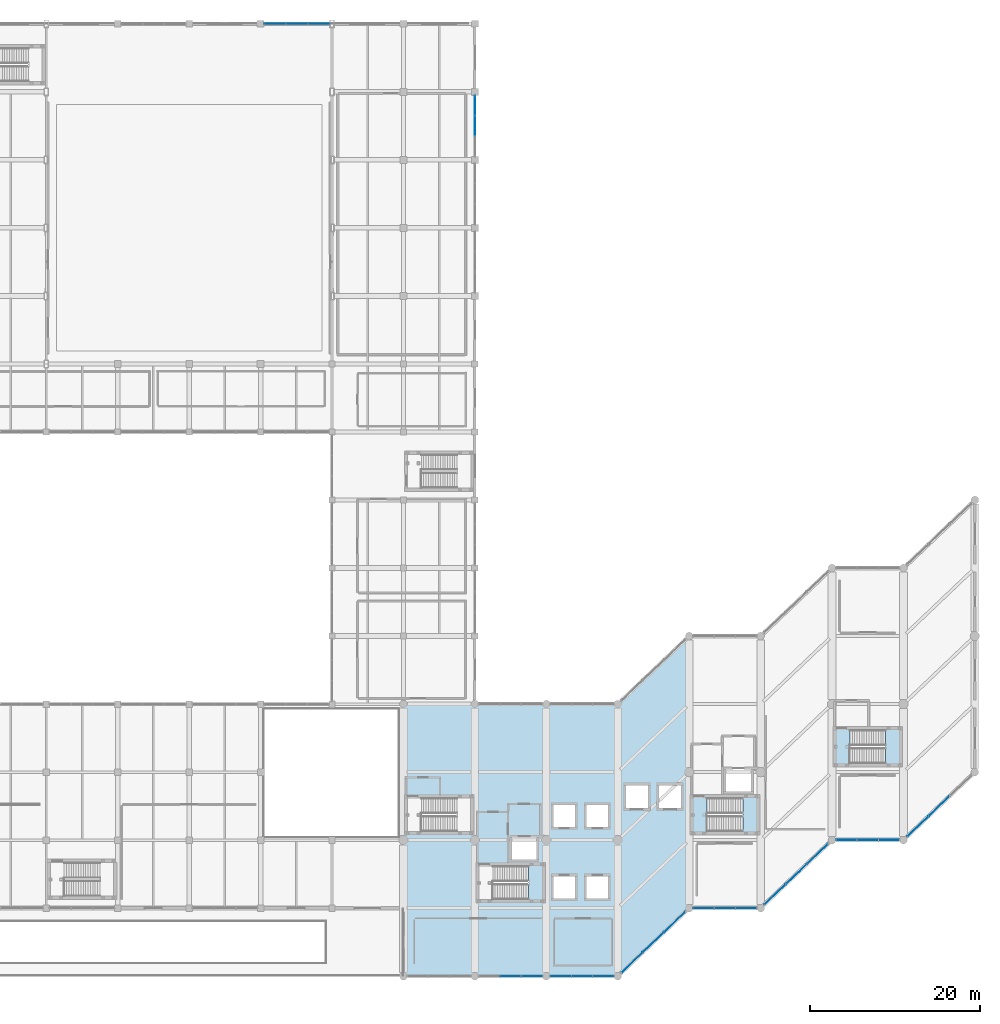
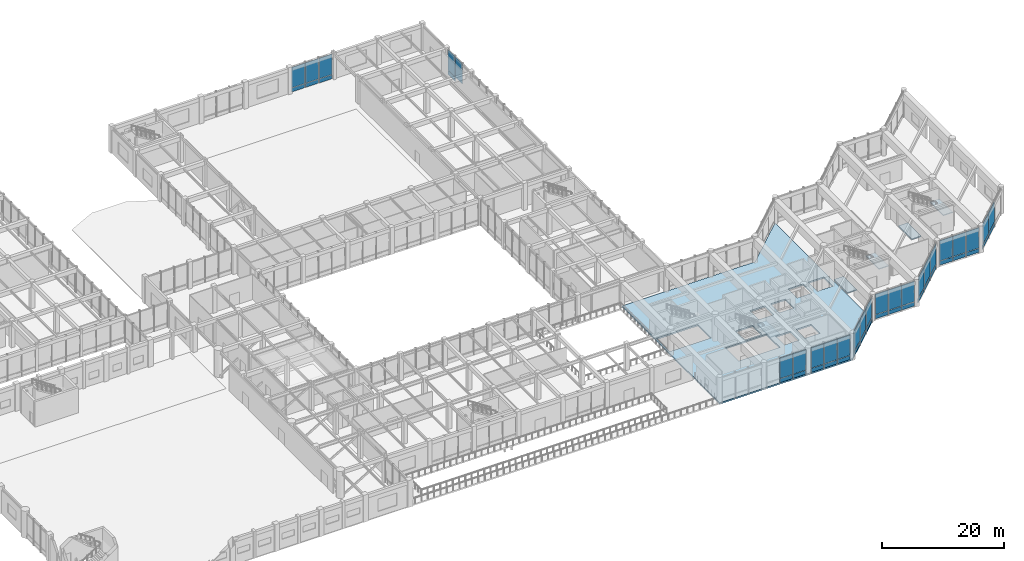
# One storey, part 54 of 79: 47 plates, 6 slabs, 12 elements without a shape of their own.
"""IFC4 building model written with IfcOpenShell, lengths in metres."""

from ifc_helpers import new_model, si_unit, direction, frame, origin, origin_2d, place, context, subcontext, project, spatial, polyline, rectangle, outline, extrude, material, layer, layer_set, type_object, element, aggregate, save


model = new_model("IFC4")

# Units and contexts
model_context = context("Model", 3, precision=1e-05, world=origin(), true_north=direction((0.0, 1.0)))
body_context = subcontext(model_context, "Body", "Model", "MODEL_VIEW")
ifc_project = project(units=[si_unit("LENGTHUNIT", "METRE"), si_unit("AREAUNIT", "SQUARE_METRE"), si_unit("VOLUMEUNIT", "CUBIC_METRE"), si_unit("PLANEANGLEUNIT", "RADIAN"), si_unit("MASSUNIT", "GRAM", prefix="KILO")], contexts=[model_context])

# Site, building, storey
site_placement = place(None, origin())
site = spatial("IfcSite", under=ifc_project, at=site_placement, CompositionType="ELEMENT")
building_placement = place(site_placement, origin())
building = spatial("IfcBuilding", under=site, at=building_placement, Name="Naruveol Harbour Congress Hotel", CompositionType="ELEMENT")
storey_placement = place(building_placement, frame((0.0, 0.0, 6.0)))
storey = spatial("IfcBuildingStorey", under=building, at=storey_placement, Name="L01", CompositionType="ELEMENT", Elevation=6.0)

# Curtain wall, plates
ifc_material_1 = material(Name="Low-E Curtain Wall System", Category="glass")
ifc_layer_1 = layer(ifc_material_1, 0.179931640625)
ifc_layer_set_1 = layer_set([ifc_layer_1], Name="Low-E Curtain Wall System")
curtain_wall_type_1 = type_object("IfcCurtainWallType", Name="UNITISED CURTAIN WALL CW-V2N-19 7750X5100", PredefinedType="USERDEFINED", material=ifc_layer_set_1)
curtain_wall_1_placement = place(storey_placement, origin())
curtain_wall_1 = element("IfcCurtainWall", 1, at=curtain_wall_1_placement, inside=storey, type_object=curtain_wall_type_1, Name="Unitised curtain wall CW-V2N-19 L01", ObjectType="UNITISED GLAZING", PredefinedType="USERDEFINED")
ifc_material_2 = material(Name="Anodised Aluminium Spandrel", Category="aluminium")
ifc_layer_2 = layer(ifc_material_2, 0.054931640625)
ifc_layer_set_2 = layer_set([ifc_layer_2], Name="Anodised Aluminium Spandrel")
plate_type_1 = type_object("IfcPlateType", Name="INSULATED CERAMIC SPANDREL PANEL 55", PredefinedType="CURTAIN_PANEL", material=ifc_layer_set_2)
plate_1_placement = place(storey_placement, frame((102.49169921875, 112.010009765625, 0.0400390625), z_axis=(0.0, 0.0, 1.0), x_axis=(1.0, 0.0, 0.0)))
plate_1 = element("IfcPlate", 2, at=plate_1_placement, type_object=plate_type_1, Name="Curtain wall spandrel panel CW-L01-0040-PS0", PredefinedType="CURTAIN_PANEL", context=body_context, shape_type="SweptSolid", body=[
    extrude(rectangle(XDim=2.5029296875, YDim=0.054931640625, at=origin_2d()), origin(), (0.0, 0.0, 1.0), 0.77001953125),
])
plate_2_placement = place(storey_placement, frame((105.074951171875, 112.010009765625, 0.0400390625), z_axis=(0.0, 0.0, 1.0), x_axis=(1.0, 0.0, 0.0)))
plate_2 = element("IfcPlate", 3, at=plate_2_placement, type_object=plate_type_1, Name="Curtain wall spandrel panel CW-L01-0040-PS1", PredefinedType="CURTAIN_PANEL", context=body_context, shape_type="SweptSolid", body=[
    extrude(rectangle(XDim=2.5029296875, YDim=0.054931640625, at=origin_2d()), origin(), (0.0, 0.0, 1.0), 0.77001953125),
])
plate_3_placement = place(storey_placement, frame((107.658203125, 112.010009765625, 0.0400390625), z_axis=(0.0, 0.0, 1.0), x_axis=(1.0, 0.0, 0.0)))
plate_3 = element("IfcPlate", 4, at=plate_3_placement, type_object=plate_type_1, Name="Curtain wall spandrel panel CW-L01-0040-PS2", PredefinedType="CURTAIN_PANEL", context=body_context, shape_type="SweptSolid", body=[
    extrude(rectangle(XDim=2.5029296875, YDim=0.054931640625, at=origin_2d()), origin(), (0.0, 0.0, 1.0), 0.77001953125),
])

# Curtain wall, plate
ifc_material_3 = material(Name="Low-E Curtain Wall System", Category="glass")
ifc_layer_3 = layer(ifc_material_3, 0.179931640625)
ifc_layer_set_3 = layer_set([ifc_layer_3], Name="Low-E Curtain Wall System")
curtain_wall_type_2 = type_object("IfcCurtainWallType", Name="UNITISED CURTAIN WALL CW-V2E-20 7200X5100", PredefinedType="USERDEFINED", material=ifc_layer_set_3)
curtain_wall_2_placement = place(storey_placement, origin())
curtain_wall_2 = element("IfcCurtainWall", 5, at=curtain_wall_2_placement, inside=storey, type_object=curtain_wall_type_2, Name="Unitised curtain wall CW-V2E-20 L01", ObjectType="UNITISED GLAZING", PredefinedType="USERDEFINED")
plate_4_placement = place(storey_placement, frame((126.010009765625, 102.39990234375, 0.0400390625), z_axis=(0.0, 0.0, 1.0), x_axis=(0.0, -1.0, 0.0)))
plate_4 = element("IfcPlate", 6, at=plate_4_placement, type_object=plate_type_1, Name="Curtain wall spandrel panel CW-L01-0043-PS0", PredefinedType="CURTAIN_PANEL", context=body_context, shape_type="SweptSolid", body=[
    extrude(rectangle(XDim=2.320068359375, YDim=0.054931640625, at=origin_2d()), origin(), (0.0, 0.0, 1.0), 0.77001953125),
])

# Curtain wall, plates
ifc_material_4 = material(Name="Low-E Curtain Wall System", Category="glass")
ifc_layer_4 = layer(ifc_material_4, 0.179931640625)
ifc_layer_set_4 = layer_set([ifc_layer_4], Name="Low-E Curtain Wall System")
curtain_wall_type_3 = type_object("IfcCurtainWallType", Name="UNITISED CURTAIN WALL CW-V5S-50 7500X5120", PredefinedType="USERDEFINED", material=ifc_layer_set_4)
curtain_wall_3_placement = place(storey_placement, origin())
curtain_wall_3 = element("IfcCurtainWall", 7, at=curtain_wall_3_placement, inside=storey, type_object=curtain_wall_type_3, Name="Unitised curtain wall CW-V5S-50 L01", ObjectType="UNITISED GLAZING", PredefinedType="USERDEFINED")
plate_5_placement = place(storey_placement, frame((132.699951171875, -0.010009765625, 0.0400390625), z_axis=(0.0, 0.0, 1.0), x_axis=(-1.0, 0.0, 0.0)))
plate_5 = element("IfcPlate", 8, at=plate_5_placement, type_object=plate_type_1, Name="Curtain wall spandrel panel CW-L01-0137-PS0", PredefinedType="CURTAIN_PANEL", context=body_context, shape_type="SweptSolid", body=[
    extrude(rectangle(XDim=2.419921875, YDim=0.054931640625, at=origin_2d()), origin(), (0.0, 0.0, 1.0), 0.77001953125),
])
plate_6_placement = place(storey_placement, frame((130.199951171875, -0.010009765625, 0.0400390625), z_axis=(0.0, 0.0, 1.0), x_axis=(-1.0, 0.0, 0.0)))
plate_6 = element("IfcPlate", 9, at=plate_6_placement, type_object=plate_type_1, Name="Curtain wall spandrel panel CW-L01-0137-PS1", PredefinedType="CURTAIN_PANEL", context=body_context, shape_type="SweptSolid", body=[
    extrude(rectangle(XDim=2.419921875, YDim=0.054931640625, at=origin_2d()), origin(), (0.0, 0.0, 1.0), 0.77001953125),
])

curtain_wall_4_placement = place(storey_placement, origin())
curtain_wall_4 = element("IfcCurtainWall", 10, at=curtain_wall_4_placement, inside=storey, type_object=curtain_wall_type_3, Name="Unitised curtain wall CW-V5S-50 L01", ObjectType="UNITISED GLAZING", PredefinedType="USERDEFINED")
plate_7_placement = place(storey_placement, frame((141.10009765625, -0.010009765625, 0.0400390625), z_axis=(0.0, 0.0, 1.0), x_axis=(-1.0, 0.0, 0.0)))
plate_7 = element("IfcPlate", 11, at=plate_7_placement, type_object=plate_type_1, Name="Curtain wall spandrel panel CW-L01-0139-PS0", PredefinedType="CURTAIN_PANEL", context=body_context, shape_type="SweptSolid", body=[
    extrude(rectangle(XDim=2.419921875, YDim=0.054931640625, at=origin_2d()), origin(), (0.0, 0.0, 1.0), 0.77001953125),
])
plate_8_placement = place(storey_placement, frame((138.60009765625, -0.010009765625, 0.0400390625), z_axis=(0.0, 0.0, 1.0), x_axis=(-1.0, 0.0, 0.0)))
plate_8 = element("IfcPlate", 12, at=plate_8_placement, type_object=plate_type_1, Name="Curtain wall spandrel panel CW-L01-0139-PS1", PredefinedType="CURTAIN_PANEL", context=body_context, shape_type="SweptSolid", body=[
    extrude(rectangle(XDim=2.419921875, YDim=0.054931640625, at=origin_2d()), origin(), (0.0, 0.0, 1.0), 0.77001953125),
])
plate_9_placement = place(storey_placement, frame((136.10009765625, -0.010009765625, 0.0400390625), z_axis=(0.0, 0.0, 1.0), x_axis=(-1.0, 0.0, 0.0)))
plate_9 = element("IfcPlate", 13, at=plate_9_placement, type_object=plate_type_1, Name="Curtain wall spandrel panel CW-L01-0139-PS2", PredefinedType="CURTAIN_PANEL", context=body_context, shape_type="SweptSolid", body=[
    extrude(rectangle(XDim=2.419921875, YDim=0.054931640625, at=origin_2d()), origin(), (0.0, 0.0, 1.0), 0.77001953125),
])

ifc_material_5 = material(Name="Low-E Curtain Wall System", Category="glass")
ifc_layer_5 = layer(ifc_material_5, 0.179931640625)
ifc_layer_set_5 = layer_set([ifc_layer_5], Name="Low-E Curtain Wall System")
curtain_wall_type_4 = type_object("IfcCurtainWallType", Name="UNITISED CURTAIN WALL CW-V5S-52 10357X5120", PredefinedType="USERDEFINED", material=ifc_layer_set_5)
curtain_wall_5_placement = place(storey_placement, origin())
curtain_wall_5 = element("IfcCurtainWall", 14, at=curtain_wall_5_placement, inside=storey, type_object=curtain_wall_type_4, Name="Unitised curtain wall CW-V5S-52 L01", ObjectType="UNITISED GLAZING", PredefinedType="USERDEFINED")
plate_10_placement = place(storey_placement, frame((149.5068359375, 6.373291015625, 0.0400390625), z_axis=(0.0, 0.0, 1.0), x_axis=(-0.724183897459, -0.689606904447, 0.0)))
plate_10 = element("IfcPlate", 15, at=plate_10_placement, type_object=plate_type_1, Name="Curtain wall spandrel panel CW-L01-0141-PS0", PredefinedType="CURTAIN_PANEL", context=body_context, shape_type="SweptSolid", body=[
    extrude(rectangle(XDim=3.3720703125, YDim=0.054931640625, at=origin_2d()), origin(), (0.0, 0.0, 1.0), 0.77001953125),
])
plate_11_placement = place(storey_placement, frame((147.0068359375, 3.992919921875, 0.0400390625), z_axis=(0.0, 0.0, 1.0), x_axis=(-0.724183897459, -0.689606904447, 0.0)))
plate_11 = element("IfcPlate", 16, at=plate_11_placement, type_object=plate_type_1, Name="Curtain wall spandrel panel CW-L01-0141-PS1", PredefinedType="CURTAIN_PANEL", context=body_context, shape_type="SweptSolid", body=[
    extrude(rectangle(XDim=3.3720703125, YDim=0.054931640625, at=origin_2d()), origin(), (0.0, 0.0, 1.0), 0.77001953125),
])
plate_12_placement = place(storey_placement, frame((144.5068359375, 1.612060546875, 0.0400390625), z_axis=(0.0, 0.0, 1.0), x_axis=(-0.724183897459, -0.689606904447, 0.0)))
plate_12 = element("IfcPlate", 17, at=plate_12_placement, type_object=plate_type_1, Name="Curtain wall spandrel panel CW-L01-0141-PS2", PredefinedType="CURTAIN_PANEL", context=body_context, shape_type="SweptSolid", body=[
    extrude(rectangle(XDim=3.3720703125, YDim=0.054931640625, at=origin_2d()), origin(), (0.0, 0.0, 1.0), 0.77001953125),
])

curtain_wall_6_placement = place(storey_placement, origin())
curtain_wall_6 = element("IfcCurtainWall", 18, at=curtain_wall_6_placement, inside=storey, type_object=curtain_wall_type_3, Name="Unitised curtain wall CW-V5S-50 L01", ObjectType="UNITISED GLAZING", PredefinedType="USERDEFINED")
plate_13_placement = place(storey_placement, frame((157.89990234375, 7.989990234375, 0.0400390625), z_axis=(0.0, 0.0, 1.0), x_axis=(-1.0, 0.0, 0.0)))
plate_13 = element("IfcPlate", 19, at=plate_13_placement, type_object=plate_type_1, Name="Curtain wall spandrel panel CW-L01-0143-PS0", PredefinedType="CURTAIN_PANEL", context=body_context, shape_type="SweptSolid", body=[
    extrude(rectangle(XDim=2.419921875, YDim=0.054931640625, at=origin_2d()), origin(), (0.0, 0.0, 1.0), 0.77001953125),
])
plate_14_placement = place(storey_placement, frame((155.39990234375, 7.989990234375, 0.0400390625), z_axis=(0.0, 0.0, 1.0), x_axis=(-1.0, 0.0, 0.0)))
plate_14 = element("IfcPlate", 20, at=plate_14_placement, type_object=plate_type_1, Name="Curtain wall spandrel panel CW-L01-0143-PS1", PredefinedType="CURTAIN_PANEL", context=body_context, shape_type="SweptSolid", body=[
    extrude(rectangle(XDim=2.419921875, YDim=0.054931640625, at=origin_2d()), origin(), (0.0, 0.0, 1.0), 0.77001953125),
])
plate_15_placement = place(storey_placement, frame((152.89990234375, 7.989990234375, 0.0400390625), z_axis=(0.0, 0.0, 1.0), x_axis=(-1.0, 0.0, 0.0)))
plate_15 = element("IfcPlate", 21, at=plate_15_placement, type_object=plate_type_1, Name="Curtain wall spandrel panel CW-L01-0143-PS2", PredefinedType="CURTAIN_PANEL", context=body_context, shape_type="SweptSolid", body=[
    extrude(rectangle(XDim=2.419921875, YDim=0.054931640625, at=origin_2d()), origin(), (0.0, 0.0, 1.0), 0.77001953125),
])

curtain_wall_7_placement = place(storey_placement, origin())
curtain_wall_7 = element("IfcCurtainWall", 22, at=curtain_wall_7_placement, inside=storey, type_object=curtain_wall_type_4, Name="Unitised curtain wall CW-V5S-52 L01", ObjectType="UNITISED GLAZING", PredefinedType="USERDEFINED")
plate_16_placement = place(storey_placement, frame((166.306884765625, 14.373291015625, 0.0400390625), z_axis=(0.0, 0.0, 1.0), x_axis=(-0.724183897459, -0.689606904447, 0.0)))
plate_16 = element("IfcPlate", 23, at=plate_16_placement, type_object=plate_type_1, Name="Curtain wall spandrel panel CW-L01-0145-PS0", PredefinedType="CURTAIN_PANEL", context=body_context, shape_type="SweptSolid", body=[
    extrude(rectangle(XDim=3.3720703125, YDim=0.054931640625, at=origin_2d()), origin(), (0.0, 0.0, 1.0), 0.77001953125),
])
plate_17_placement = place(storey_placement, frame((163.806884765625, 11.992919921875, 0.0400390625), z_axis=(0.0, 0.0, 1.0), x_axis=(-0.724183897459, -0.689606904447, 0.0)))
plate_17 = element("IfcPlate", 24, at=plate_17_placement, type_object=plate_type_1, Name="Curtain wall spandrel panel CW-L01-0145-PS1", PredefinedType="CURTAIN_PANEL", context=body_context, shape_type="SweptSolid", body=[
    extrude(rectangle(XDim=3.3720703125, YDim=0.054931640625, at=origin_2d()), origin(), (0.0, 0.0, 1.0), 0.77001953125),
])
plate_18_placement = place(storey_placement, frame((161.306884765625, 9.612060546875, 0.0400390625), z_axis=(0.0, 0.0, 1.0), x_axis=(-0.724183897459, -0.689606904447, 0.0)))
plate_18 = element("IfcPlate", 25, at=plate_18_placement, type_object=plate_type_1, Name="Curtain wall spandrel panel CW-L01-0145-PS2", PredefinedType="CURTAIN_PANEL", context=body_context, shape_type="SweptSolid", body=[
    extrude(rectangle(XDim=3.3720703125, YDim=0.054931640625, at=origin_2d()), origin(), (0.0, 0.0, 1.0), 0.77001953125),
])

curtain_wall_8_placement = place(storey_placement, origin())
curtain_wall_8 = element("IfcCurtainWall", 26, at=curtain_wall_8_placement, inside=storey, type_object=curtain_wall_type_3, Name="Unitised curtain wall CW-V5S-50 L01", ObjectType="UNITISED GLAZING", PredefinedType="USERDEFINED")
plate_19_placement = place(storey_placement, frame((174.699951171875, 15.989990234375, 0.0400390625), z_axis=(0.0, 0.0, 1.0), x_axis=(-1.0, 0.0, 0.0)))
plate_19 = element("IfcPlate", 27, at=plate_19_placement, type_object=plate_type_1, Name="Curtain wall spandrel panel CW-L01-0147-PS0", PredefinedType="CURTAIN_PANEL", context=body_context, shape_type="SweptSolid", body=[
    extrude(rectangle(XDim=2.419921875, YDim=0.054931640625, at=origin_2d()), origin(), (0.0, 0.0, 1.0), 0.77001953125),
])
plate_20_placement = place(storey_placement, frame((172.199951171875, 15.989990234375, 0.0400390625), z_axis=(0.0, 0.0, 1.0), x_axis=(-1.0, 0.0, 0.0)))
plate_20 = element("IfcPlate", 28, at=plate_20_placement, type_object=plate_type_1, Name="Curtain wall spandrel panel CW-L01-0147-PS1", PredefinedType="CURTAIN_PANEL", context=body_context, shape_type="SweptSolid", body=[
    extrude(rectangle(XDim=2.419921875, YDim=0.054931640625, at=origin_2d()), origin(), (0.0, 0.0, 1.0), 0.77001953125),
])
plate_21_placement = place(storey_placement, frame((169.699951171875, 15.989990234375, 0.0400390625), z_axis=(0.0, 0.0, 1.0), x_axis=(-1.0, 0.0, 0.0)))
plate_21 = element("IfcPlate", 29, at=plate_21_placement, type_object=plate_type_1, Name="Curtain wall spandrel panel CW-L01-0147-PS2", PredefinedType="CURTAIN_PANEL", context=body_context, shape_type="SweptSolid", body=[
    extrude(rectangle(XDim=2.419921875, YDim=0.054931640625, at=origin_2d()), origin(), (0.0, 0.0, 1.0), 0.77001953125),
])

curtain_wall_9_placement = place(storey_placement, origin())
curtain_wall_9 = element("IfcCurtainWall", 30, at=curtain_wall_9_placement, inside=storey, type_object=curtain_wall_type_4, Name="Unitised curtain wall CW-V5S-52 L01", ObjectType="UNITISED GLAZING", PredefinedType="USERDEFINED")
plate_22_placement = place(storey_placement, frame((180.60693359375, 19.992919921875, 0.0400390625), z_axis=(0.0, 0.0, 1.0), x_axis=(-0.724183897459, -0.689606904447, 0.0)))
plate_22 = element("IfcPlate", 31, at=plate_22_placement, type_object=plate_type_1, Name="Curtain wall spandrel panel CW-L01-0149-PS1", PredefinedType="CURTAIN_PANEL", context=body_context, shape_type="SweptSolid", body=[
    extrude(rectangle(XDim=3.3720703125, YDim=0.054931640625, at=origin_2d()), origin(), (0.0, 0.0, 1.0), 0.77001953125),
])
plate_23_placement = place(storey_placement, frame((178.10693359375, 17.612060546875, 0.0400390625), z_axis=(0.0, 0.0, 1.0), x_axis=(-0.724183897459, -0.689606904447, 0.0)))
plate_23 = element("IfcPlate", 32, at=plate_23_placement, type_object=plate_type_1, Name="Curtain wall spandrel panel CW-L01-0149-PS2", PredefinedType="CURTAIN_PANEL", context=body_context, shape_type="SweptSolid", body=[
    extrude(rectangle(XDim=3.3720703125, YDim=0.054931640625, at=origin_2d()), origin(), (0.0, 0.0, 1.0), 0.77001953125),
])

# Plate
ifc_material_6 = material(Name="Low-E Insulated Glass", Category="glass")
ifc_layer_6 = layer(ifc_material_6, 0.0419921875)
ifc_layer_set_6 = layer_set([ifc_layer_6], Name="Low-E Insulated Glass")
plate_type_2 = type_object("IfcPlateType", Name="LOW-E TRIPLE GLAZED CURTAIN PANEL 42", PredefinedType="CURTAIN_PANEL", material=ifc_layer_set_6)
plate_24_placement = place(storey_placement, frame((102.49169921875, 112.010009765625, 0.89013671875), z_axis=(0.0, 0.0, 1.0), x_axis=(1.0, 0.0, 0.0)))
plate_24 = element("IfcPlate", 33, at=plate_24_placement, type_object=plate_type_2, Name="Curtain wall vision panel CW-L01-0040-PG0", PredefinedType="CURTAIN_PANEL", context=body_context, shape_type="SweptSolid", body=[
    extrude(rectangle(XDim=2.5029296875, YDim=0.0419921875, at=origin_2d()), origin(), (0.0, 0.0, 1.0), 4.090087890625),
])

plate_25_placement = place(storey_placement, frame((105.074951171875, 112.010009765625, 0.89013671875), z_axis=(0.0, 0.0, 1.0), x_axis=(1.0, 0.0, 0.0)))
plate_25 = element("IfcPlate", 34, at=plate_25_placement, type_object=plate_type_2, Name="Curtain wall vision panel CW-L01-0040-PG1", PredefinedType="CURTAIN_PANEL", context=body_context, shape_type="SweptSolid", body=[
    extrude(rectangle(XDim=2.5029296875, YDim=0.0419921875, at=origin_2d()), origin(), (0.0, 0.0, 1.0), 4.090087890625),
])

plate_26_placement = place(storey_placement, frame((107.658203125, 112.010009765625, 0.89013671875), z_axis=(0.0, 0.0, 1.0), x_axis=(1.0, 0.0, 0.0)))
plate_26 = element("IfcPlate", 35, at=plate_26_placement, type_object=plate_type_2, Name="Curtain wall vision panel CW-L01-0040-PG2", PredefinedType="CURTAIN_PANEL", context=body_context, shape_type="SweptSolid", body=[
    extrude(rectangle(XDim=2.5029296875, YDim=0.0419921875, at=origin_2d()), origin(), (0.0, 0.0, 1.0), 4.090087890625),
])

aggregate(curtain_wall_1, [plate_1, plate_24, plate_2, plate_25, plate_3, plate_26])

plate_27_placement = place(storey_placement, frame((126.010009765625, 102.39990234375, 0.89013671875), z_axis=(0.0, 0.0, 1.0), x_axis=(0.0, -1.0, 0.0)))
plate_27 = element("IfcPlate", 36, at=plate_27_placement, type_object=plate_type_2, Name="Curtain wall vision panel CW-L01-0043-PG0", PredefinedType="CURTAIN_PANEL", context=body_context, shape_type="SweptSolid", body=[
    extrude(rectangle(XDim=2.320068359375, YDim=0.0419921875, at=origin_2d()), origin(), (0.0, 0.0, 1.0), 4.090087890625),
])

plate_28_placement = place(storey_placement, frame((126.010009765625, 100.0, 0.89013671875), z_axis=(0.0, 0.0, 1.0), x_axis=(0.0, -1.0, 0.0)))
plate_28 = element("IfcPlate", 37, at=plate_28_placement, type_object=plate_type_2, Name="Curtain wall vision panel CW-L01-0043-PG1", PredefinedType="CURTAIN_PANEL", context=body_context, shape_type="SweptSolid", body=[
    extrude(rectangle(XDim=2.320068359375, YDim=0.0419921875, at=origin_2d()), origin(), (0.0, 0.0, 1.0), 4.090087890625),
])

aggregate(curtain_wall_2, [plate_4, plate_27, plate_28])

plate_29_placement = place(storey_placement, frame((132.699951171875, -0.010009765625, 0.89013671875), z_axis=(0.0, 0.0, 1.0), x_axis=(-1.0, 0.0, 0.0)))
plate_29 = element("IfcPlate", 38, at=plate_29_placement, type_object=plate_type_2, Name="Curtain wall vision panel CW-L01-0137-PG0", PredefinedType="CURTAIN_PANEL", context=body_context, shape_type="SweptSolid", body=[
    extrude(rectangle(XDim=2.419921875, YDim=0.0419921875, at=origin_2d()), origin(), (0.0, 0.0, 1.0), 4.110107421875),
])

plate_30_placement = place(storey_placement, frame((130.199951171875, -0.010009765625, 0.89013671875), z_axis=(0.0, 0.0, 1.0), x_axis=(-1.0, 0.0, 0.0)))
plate_30 = element("IfcPlate", 39, at=plate_30_placement, type_object=plate_type_2, Name="Curtain wall vision panel CW-L01-0137-PG1", PredefinedType="CURTAIN_PANEL", context=body_context, shape_type="SweptSolid", body=[
    extrude(rectangle(XDim=2.419921875, YDim=0.0419921875, at=origin_2d()), origin(), (0.0, 0.0, 1.0), 4.110107421875),
])

aggregate(curtain_wall_3, [plate_5, plate_29, plate_6, plate_30])

plate_31_placement = place(storey_placement, frame((141.10009765625, -0.010009765625, 0.89013671875), z_axis=(0.0, 0.0, 1.0), x_axis=(-1.0, 0.0, 0.0)))
plate_31 = element("IfcPlate", 40, at=plate_31_placement, type_object=plate_type_2, Name="Curtain wall vision panel CW-L01-0139-PG0", PredefinedType="CURTAIN_PANEL", context=body_context, shape_type="SweptSolid", body=[
    extrude(rectangle(XDim=2.419921875, YDim=0.0419921875, at=origin_2d()), origin(), (0.0, 0.0, 1.0), 4.110107421875),
])

plate_32_placement = place(storey_placement, frame((138.60009765625, -0.010009765625, 0.89013671875), z_axis=(0.0, 0.0, 1.0), x_axis=(-1.0, 0.0, 0.0)))
plate_32 = element("IfcPlate", 41, at=plate_32_placement, type_object=plate_type_2, Name="Curtain wall vision panel CW-L01-0139-PG1", PredefinedType="CURTAIN_PANEL", context=body_context, shape_type="SweptSolid", body=[
    extrude(rectangle(XDim=2.419921875, YDim=0.0419921875, at=origin_2d()), origin(), (0.0, 0.0, 1.0), 4.110107421875),
])

plate_33_placement = place(storey_placement, frame((136.10009765625, -0.010009765625, 0.89013671875), z_axis=(0.0, 0.0, 1.0), x_axis=(-1.0, 0.0, 0.0)))
plate_33 = element("IfcPlate", 42, at=plate_33_placement, type_object=plate_type_2, Name="Curtain wall vision panel CW-L01-0139-PG2", PredefinedType="CURTAIN_PANEL", context=body_context, shape_type="SweptSolid", body=[
    extrude(rectangle(XDim=2.419921875, YDim=0.0419921875, at=origin_2d()), origin(), (0.0, 0.0, 1.0), 4.110107421875),
])

aggregate(curtain_wall_4, [plate_7, plate_31, plate_8, plate_32, plate_9, plate_33])

plate_34_placement = place(storey_placement, frame((149.5068359375, 6.373291015625, 0.89013671875), z_axis=(0.0, 0.0, 1.0), x_axis=(-0.724183897459, -0.689606904447, 0.0)))
plate_34 = element("IfcPlate", 43, at=plate_34_placement, type_object=plate_type_2, Name="Curtain wall vision panel CW-L01-0141-PG0", PredefinedType="CURTAIN_PANEL", context=body_context, shape_type="SweptSolid", body=[
    extrude(rectangle(XDim=3.3720703125, YDim=0.0419921875, at=origin_2d()), origin(), (0.0, 0.0, 1.0), 4.110107421875),
])

plate_35_placement = place(storey_placement, frame((147.0068359375, 3.992919921875, 0.89013671875), z_axis=(0.0, 0.0, 1.0), x_axis=(-0.724183897459, -0.689606904447, 0.0)))
plate_35 = element("IfcPlate", 44, at=plate_35_placement, type_object=plate_type_2, Name="Curtain wall vision panel CW-L01-0141-PG1", PredefinedType="CURTAIN_PANEL", context=body_context, shape_type="SweptSolid", body=[
    extrude(rectangle(XDim=3.3720703125, YDim=0.0419921875, at=origin_2d()), origin(), (0.0, 0.0, 1.0), 4.110107421875),
])

plate_36_placement = place(storey_placement, frame((144.5068359375, 1.612060546875, 0.89013671875), z_axis=(0.0, 0.0, 1.0), x_axis=(-0.724183897459, -0.689606904447, 0.0)))
plate_36 = element("IfcPlate", 45, at=plate_36_placement, type_object=plate_type_2, Name="Curtain wall vision panel CW-L01-0141-PG2", PredefinedType="CURTAIN_PANEL", context=body_context, shape_type="SweptSolid", body=[
    extrude(rectangle(XDim=3.3720703125, YDim=0.0419921875, at=origin_2d()), origin(), (0.0, 0.0, 1.0), 4.110107421875),
])

aggregate(curtain_wall_5, [plate_10, plate_34, plate_11, plate_35, plate_12, plate_36])

plate_37_placement = place(storey_placement, frame((157.89990234375, 7.989990234375, 0.89013671875), z_axis=(0.0, 0.0, 1.0), x_axis=(-1.0, 0.0, 0.0)))
plate_37 = element("IfcPlate", 46, at=plate_37_placement, type_object=plate_type_2, Name="Curtain wall vision panel CW-L01-0143-PG0", PredefinedType="CURTAIN_PANEL", context=body_context, shape_type="SweptSolid", body=[
    extrude(rectangle(XDim=2.419921875, YDim=0.0419921875, at=origin_2d()), origin(), (0.0, 0.0, 1.0), 4.110107421875),
])

plate_38_placement = place(storey_placement, frame((155.39990234375, 7.989990234375, 0.89013671875), z_axis=(0.0, 0.0, 1.0), x_axis=(-1.0, 0.0, 0.0)))
plate_38 = element("IfcPlate", 47, at=plate_38_placement, type_object=plate_type_2, Name="Curtain wall vision panel CW-L01-0143-PG1", PredefinedType="CURTAIN_PANEL", context=body_context, shape_type="SweptSolid", body=[
    extrude(rectangle(XDim=2.419921875, YDim=0.0419921875, at=origin_2d()), origin(), (0.0, 0.0, 1.0), 4.110107421875),
])

plate_39_placement = place(storey_placement, frame((152.89990234375, 7.989990234375, 0.89013671875), z_axis=(0.0, 0.0, 1.0), x_axis=(-1.0, 0.0, 0.0)))
plate_39 = element("IfcPlate", 48, at=plate_39_placement, type_object=plate_type_2, Name="Curtain wall vision panel CW-L01-0143-PG2", PredefinedType="CURTAIN_PANEL", context=body_context, shape_type="SweptSolid", body=[
    extrude(rectangle(XDim=2.419921875, YDim=0.0419921875, at=origin_2d()), origin(), (0.0, 0.0, 1.0), 4.110107421875),
])

aggregate(curtain_wall_6, [plate_13, plate_37, plate_14, plate_38, plate_15, plate_39])

plate_40_placement = place(storey_placement, frame((166.306884765625, 14.373291015625, 0.89013671875), z_axis=(0.0, 0.0, 1.0), x_axis=(-0.724183897459, -0.689606904447, 0.0)))
plate_40 = element("IfcPlate", 49, at=plate_40_placement, type_object=plate_type_2, Name="Curtain wall vision panel CW-L01-0145-PG0", PredefinedType="CURTAIN_PANEL", context=body_context, shape_type="SweptSolid", body=[
    extrude(rectangle(XDim=3.3720703125, YDim=0.0419921875, at=origin_2d()), origin(), (0.0, 0.0, 1.0), 4.110107421875),
])

plate_41_placement = place(storey_placement, frame((163.806884765625, 11.992919921875, 0.89013671875), z_axis=(0.0, 0.0, 1.0), x_axis=(-0.724183897459, -0.689606904447, 0.0)))
plate_41 = element("IfcPlate", 50, at=plate_41_placement, type_object=plate_type_2, Name="Curtain wall vision panel CW-L01-0145-PG1", PredefinedType="CURTAIN_PANEL", context=body_context, shape_type="SweptSolid", body=[
    extrude(rectangle(XDim=3.3720703125, YDim=0.0419921875, at=origin_2d()), origin(), (0.0, 0.0, 1.0), 4.110107421875),
])

plate_42_placement = place(storey_placement, frame((161.306884765625, 9.612060546875, 0.89013671875), z_axis=(0.0, 0.0, 1.0), x_axis=(-0.724183897459, -0.689606904447, 0.0)))
plate_42 = element("IfcPlate", 51, at=plate_42_placement, type_object=plate_type_2, Name="Curtain wall vision panel CW-L01-0145-PG2", PredefinedType="CURTAIN_PANEL", context=body_context, shape_type="SweptSolid", body=[
    extrude(rectangle(XDim=3.3720703125, YDim=0.0419921875, at=origin_2d()), origin(), (0.0, 0.0, 1.0), 4.110107421875),
])

aggregate(curtain_wall_7, [plate_16, plate_40, plate_17, plate_41, plate_18, plate_42])

plate_43_placement = place(storey_placement, frame((174.699951171875, 15.989990234375, 0.89013671875), z_axis=(0.0, 0.0, 1.0), x_axis=(-1.0, 0.0, 0.0)))
plate_43 = element("IfcPlate", 52, at=plate_43_placement, type_object=plate_type_2, Name="Curtain wall vision panel CW-L01-0147-PG0", PredefinedType="CURTAIN_PANEL", context=body_context, shape_type="SweptSolid", body=[
    extrude(rectangle(XDim=2.419921875, YDim=0.0419921875, at=origin_2d()), origin(), (0.0, 0.0, 1.0), 4.110107421875),
])

plate_44_placement = place(storey_placement, frame((172.199951171875, 15.989990234375, 0.89013671875), z_axis=(0.0, 0.0, 1.0), x_axis=(-1.0, 0.0, 0.0)))
plate_44 = element("IfcPlate", 53, at=plate_44_placement, type_object=plate_type_2, Name="Curtain wall vision panel CW-L01-0147-PG1", PredefinedType="CURTAIN_PANEL", context=body_context, shape_type="SweptSolid", body=[
    extrude(rectangle(XDim=2.419921875, YDim=0.0419921875, at=origin_2d()), origin(), (0.0, 0.0, 1.0), 4.110107421875),
])

plate_45_placement = place(storey_placement, frame((169.699951171875, 15.989990234375, 0.89013671875), z_axis=(0.0, 0.0, 1.0), x_axis=(-1.0, 0.0, 0.0)))
plate_45 = element("IfcPlate", 54, at=plate_45_placement, type_object=plate_type_2, Name="Curtain wall vision panel CW-L01-0147-PG2", PredefinedType="CURTAIN_PANEL", context=body_context, shape_type="SweptSolid", body=[
    extrude(rectangle(XDim=2.419921875, YDim=0.0419921875, at=origin_2d()), origin(), (0.0, 0.0, 1.0), 4.110107421875),
])

aggregate(curtain_wall_8, [plate_19, plate_43, plate_20, plate_44, plate_21, plate_45])

plate_46_placement = place(storey_placement, frame((180.60693359375, 19.992919921875, 0.89013671875), z_axis=(0.0, 0.0, 1.0), x_axis=(-0.724183897459, -0.689606904447, 0.0)))
plate_46 = element("IfcPlate", 55, at=plate_46_placement, type_object=plate_type_2, Name="Curtain wall vision panel CW-L01-0149-PG1", PredefinedType="CURTAIN_PANEL", context=body_context, shape_type="SweptSolid", body=[
    extrude(rectangle(XDim=3.3720703125, YDim=0.0419921875, at=origin_2d()), origin(), (0.0, 0.0, 1.0), 4.110107421875),
])

plate_47_placement = place(storey_placement, frame((178.10693359375, 17.612060546875, 0.89013671875), z_axis=(0.0, 0.0, 1.0), x_axis=(-0.724183897459, -0.689606904447, 0.0)))
plate_47 = element("IfcPlate", 56, at=plate_47_placement, type_object=plate_type_2, Name="Curtain wall vision panel CW-L01-0149-PG2", PredefinedType="CURTAIN_PANEL", context=body_context, shape_type="SweptSolid", body=[
    extrude(rectangle(XDim=3.3720703125, YDim=0.0419921875, at=origin_2d()), origin(), (0.0, 0.0, 1.0), 4.110107421875),
])

aggregate(curtain_wall_9, [plate_22, plate_46, plate_23, plate_47])

# Slab
ifc_material_7 = material(Name="Concrete C40/50", Category="concrete")
ifc_layer_7 = layer(ifc_material_7, 0.300048828125)
ifc_layer_set_7 = layer_set([ifc_layer_7], Name="Concrete C40/50")
slab_type_1 = type_object("IfcSlabType", Name="RC AUDITORIUM AND HALL SLAB 300", PredefinedType="FLOOR", material=ifc_layer_set_7)
slab_1_placement = place(storey_placement, frame((0.0, 0.0, -0.300048828125)))
element("IfcSlab", 57, at=slab_1_placement, inside=storey, type_object=slab_type_1, Name="Level L01 Waterfront hotel mezzanine west slab", PredefinedType="FLOOR", context=body_context, shape_type="SweptSolid", body=[
    extrude(outline(polyline([(117.60009765625, 0.0), (126.0, 0.0), (134.39990234375, 0.0), (142.800048828125, 0.0), (151.199951171875, 8.0), (151.199951171875, 40.0), (142.800048828125, 32.0), (134.39990234375, 32.0), (126.0, 32.0), (117.60009765625, 32.0), (117.60009765625, 0.0)]), holes=[polyline([(126.300048828125, 8.800048828125), (134.10009765625, 8.800048828125), (134.10009765625, 13.159912109375), (126.300048828125, 13.159912109375), (126.300048828125, 8.800048828125)]), polyline([(117.89990234375, 16.800048828125), (125.699951171875, 16.800048828125), (125.699951171875, 21.159912109375), (117.89990234375, 21.159912109375), (117.89990234375, 16.800048828125)]), polyline([(135.10009765625, 17.39990234375), (137.89990234375, 17.39990234375), (137.89990234375, 20.300048828125), (135.10009765625, 20.300048828125), (135.10009765625, 17.39990234375)]), polyline([(139.0, 17.39990234375), (141.800048828125, 17.39990234375), (141.800048828125, 20.300048828125), (139.0, 20.300048828125), (139.0, 17.39990234375)]), polyline([(135.10009765625, 9.0), (137.89990234375, 9.0), (137.89990234375, 11.89990234375), (135.10009765625, 11.89990234375), (135.10009765625, 9.0)]), polyline([(139.0, 9.0), (141.800048828125, 9.0), (141.800048828125, 11.89990234375), (139.0, 11.89990234375), (139.0, 9.0)]), polyline([(130.199951171875, 13.550048828125), (133.39990234375, 13.550048828125), (133.39990234375, 16.449951171875), (130.199951171875, 16.449951171875), (130.199951171875, 13.550048828125)]), polyline([(143.60009765625, 19.60009765625), (146.5, 19.60009765625), (146.5, 22.60009765625), (143.60009765625, 22.60009765625), (143.60009765625, 19.60009765625)]), polyline([(147.5, 19.60009765625), (150.39990234375, 19.60009765625), (150.39990234375, 22.60009765625), (147.5, 22.60009765625), (147.5, 19.60009765625)])]), origin(), (0.0, 0.0, 1.0), 0.300048828125),
])

# Stair, slab
ifc_material_8 = material(Name="Concrete C40/50", Category="concrete")
stair_type = type_object("IfcStairType", Name="RC DOG LEG ESCAPE STAIR 1800W H5400", PredefinedType="HALF_TURN_STAIR", material=ifc_material_8)
stair_1_placement = place(storey_placement, origin())
stair_1 = element("IfcStair", 58, at=stair_1_placement, inside=storey, type_object=stair_type, Name="Special Escape Stair ST1 L01 to L02", PredefinedType="HALF_TURN_STAIR")
ifc_material_9 = material(Name="Concrete C40/50", Category="concrete")
ifc_layer_8 = layer(ifc_material_9, 0.179931640625)
ifc_layer_set_8 = layer_set([ifc_layer_8], Name="Concrete C40/50")
slab_type_2 = type_object("IfcSlabType", Name="RC STAIR HALF LANDING SLAB 180", PredefinedType="LANDING", material=ifc_layer_set_8)
slab_2_placement = place(storey_placement, frame((0.0, 0.0, 2.52001953125)))
slab_2 = element("IfcSlab", 59, at=slab_2_placement, type_object=slab_type_2, Name="ST1 L01 half landing", PredefinedType="LANDING", context=body_context, shape_type="SweptSolid", body=[
    extrude(outline(polyline([(132.300048828125, 8.800048828125), (134.10009765625, 8.800048828125), (134.10009765625, 13.159912109375), (132.300048828125, 13.159912109375), (132.300048828125, 8.800048828125)])), origin(), (0.0, 0.0, 1.0), 0.179931640625),
])
aggregate(stair_1, [slab_2])

# Slab
slab_3_placement = place(storey_placement, frame((0.0, 0.0, -0.179931640625)))
element("IfcSlab", 60, at=slab_3_placement, inside=storey, type_object=slab_type_2, Name="Stair ST2 L01 floor landing", PredefinedType="LANDING", context=body_context, shape_type="SweptSolid", body=[
    extrude(outline(polyline([(151.5, 16.800048828125), (153.300048828125, 16.800048828125), (153.300048828125, 21.159912109375), (151.5, 21.159912109375), (151.5, 16.800048828125)])), origin(), (0.0, 0.0, 1.0), 0.179931640625),
])

# Stair, slab
stair_2_placement = place(storey_placement, origin())
stair_2 = element("IfcStair", 61, at=stair_2_placement, inside=storey, type_object=stair_type, Name="Special Escape Stair ST2 L01 to L02", PredefinedType="HALF_TURN_STAIR")
slab_4_placement = place(storey_placement, frame((0.0, 0.0, 2.52001953125)))
slab_4 = element("IfcSlab", 62, at=slab_4_placement, type_object=slab_type_2, Name="ST2 L01 half landing", PredefinedType="LANDING", context=body_context, shape_type="SweptSolid", body=[
    extrude(outline(polyline([(157.5, 16.800048828125), (159.300048828125, 16.800048828125), (159.300048828125, 21.159912109375), (157.5, 21.159912109375), (157.5, 16.800048828125)])), origin(), (0.0, 0.0, 1.0), 0.179931640625),
])
aggregate(stair_2, [slab_4])

# Slab
slab_5_placement = place(storey_placement, frame((0.0, 0.0, -0.179931640625)))
element("IfcSlab", 63, at=slab_5_placement, inside=storey, type_object=slab_type_2, Name="Stair ST4 L01 floor landing", PredefinedType="LANDING", context=body_context, shape_type="SweptSolid", body=[
    extrude(outline(polyline([(168.300048828125, 24.800048828125), (170.10009765625, 24.800048828125), (170.10009765625, 29.159912109375), (168.300048828125, 29.159912109375), (168.300048828125, 24.800048828125)])), origin(), (0.0, 0.0, 1.0), 0.179931640625),
])

# Stair, slab
stair_3_placement = place(storey_placement, origin())
stair_3 = element("IfcStair", 64, at=stair_3_placement, inside=storey, type_object=stair_type, Name="Special Escape Stair ST4 L01 to L02", PredefinedType="HALF_TURN_STAIR")
slab_6_placement = place(storey_placement, frame((0.0, 0.0, 2.52001953125)))
slab_6 = element("IfcSlab", 65, at=slab_6_placement, type_object=slab_type_2, Name="ST4 L01 half landing", PredefinedType="LANDING", context=body_context, shape_type="SweptSolid", body=[
    extrude(outline(polyline([(174.300048828125, 24.800048828125), (176.10009765625, 24.800048828125), (176.10009765625, 29.159912109375), (174.300048828125, 29.159912109375), (174.300048828125, 24.800048828125)])), origin(), (0.0, 0.0, 1.0), 0.179931640625),
])
aggregate(stair_3, [slab_6])

save(model, "model.ifc")
